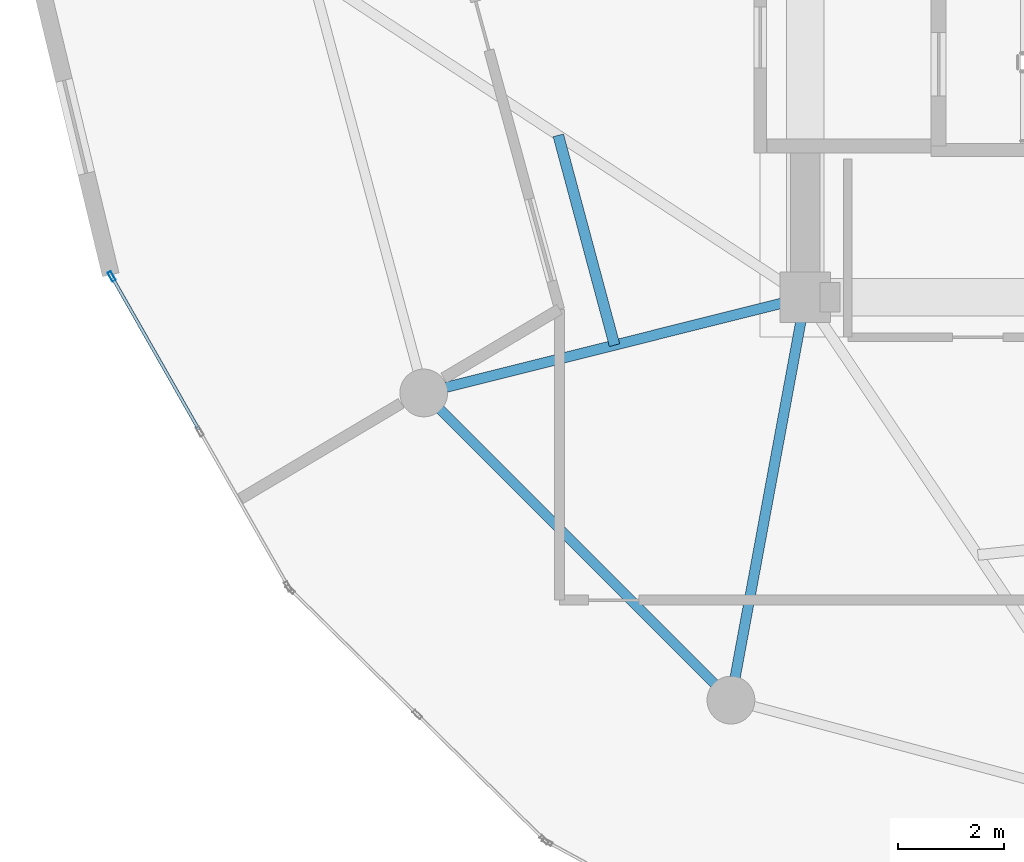
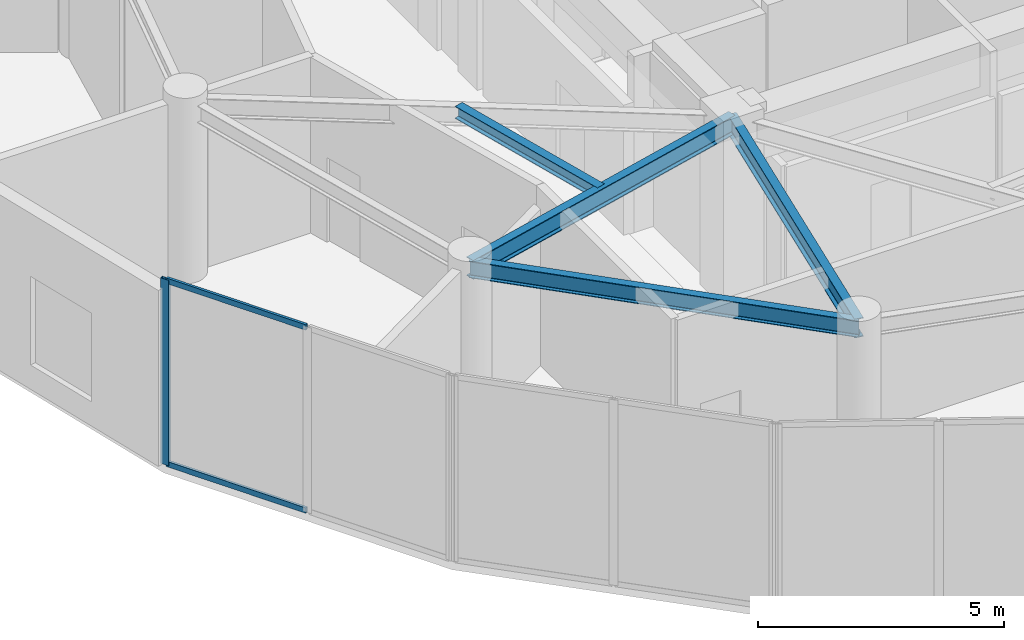
# One storey, part 3 of 23: 4 beams, 3 members, 1 element without a shape of its own.
"""IFC4 building model written with IfcOpenShell, lengths in metres."""

from ifc_helpers import new_model, si_unit, direction, frame, origin, origin_2d, place, context, subcontext, project, spatial, hollow_rectangle, i_section, extrude, source, transform, mapped, material, layer, layer_set, material_profile, profile_set, type_object, element, aggregate, save


model = new_model("IFC4")

# Units and contexts
model_context = context("Model", 3, precision=1e-05, world=origin(), true_north=direction((0.0, 1.0)))
body_context = subcontext(model_context, "Body", "Model", "MODEL_VIEW")
ifc_project = project(units=[si_unit("LENGTHUNIT", "METRE"), si_unit("AREAUNIT", "SQUARE_METRE"), si_unit("VOLUMEUNIT", "CUBIC_METRE"), si_unit("PLANEANGLEUNIT", "RADIAN"), si_unit("MASSUNIT", "GRAM", prefix="KILO")], contexts=[model_context])

# Site, building, storey
site_placement = place(None, origin())
site = spatial("IfcSite", under=ifc_project, at=site_placement, CompositionType="ELEMENT")
building_placement = place(site_placement, origin())
building = spatial("IfcBuilding", under=site, at=building_placement, Name="Solvirekh Grand Hotel", CompositionType="ELEMENT")
storey_placement = place(building_placement, frame((0.0, 0.0, 168.60009765625)))
storey = spatial("IfcBuildingStorey", under=building, at=storey_placement, Name="L43", CompositionType="ELEMENT", Elevation=168.60009765625)

# Beams
ifc_material_1 = material(Name="Steel S355", Category="steel")
ifc_material_profile_1 = material_profile(ifc_material_1, i_section(OverallWidth=0.194091796875, OverallDepth=0.468994140625, WebThickness=0.010986328125, FlangeThickness=0.01904296875, FilletRadius=0.012939453125, at=origin_2d()), Name="W460X106")
ifc_profile_set_1 = profile_set([ifc_material_profile_1], Name="Steel S355")
beam_type_1 = type_object("IfcBeamType", Name="Beam_Radial_W460H", PredefinedType="BEAM", material=ifc_profile_set_1)
beam_1_placement = place(storey_placement, frame((-6.5, -6.10009765625, 4.1259765625), z_axis=(-0.970014367692, -0.243047580675, 0.0), x_axis=(0.243047580675, -0.970014367692, 0.0)))
element("IfcBeam", 1, at=beam_1_placement, inside=storey, type_object=beam_type_1, Name="L43 radial floor beam R08", PredefinedType="BEAM", context=body_context, shape_type="SweptSolid", body=[
    extrude(i_section(OverallWidth=0.194091796875, OverallDepth=0.468994140625, WebThickness=0.010986328125, FlangeThickness=0.01904296875, FilletRadius=0.012939453125, at=origin_2d()), origin(), (0.0, 0.0, 1.0), 7.4052734375),
])
beam_2_placement = place(storey_placement, frame((-6.5, -6.10009765625, 4.1259765625), z_axis=(-0.181542769111, -0.983383049978, 0.0), x_axis=(0.983383049978, -0.181542769111, 0.0)))
element("IfcBeam", 2, at=beam_2_placement, inside=storey, type_object=beam_type_1, Name="L43 radial floor beam R09", PredefinedType="BEAM", context=body_context, shape_type="SweptSolid", body=[
    extrude(i_section(OverallWidth=0.194091796875, OverallDepth=0.468994140625, WebThickness=0.010986328125, FlangeThickness=0.01904296875, FilletRadius=0.012939453125, at=origin_2d()), origin(), (0.0, 0.0, 1.0), 7.711181640625),
])
ifc_material_profile_2 = material_profile(ifc_material_1, i_section(OverallWidth=0.202880859375, OverallDepth=0.302978515625, WebThickness=0.008056640625, FlangeThickness=0.012939453125, FilletRadius=0.010009765625, at=origin_2d()), Name="W310X60")
ifc_profile_set_2 = profile_set([ifc_material_profile_2], Name="Steel S355")
beam_type_2 = type_object("IfcBeamType", Name="Joist_Floor_W310", PredefinedType="JOIST", material=ifc_profile_set_2)
beam_3_placement = place(storey_placement, frame((-11.14990234375, -3.050048828125, 4.208984375), z_axis=(0.25892209236, -0.965898208968, 0.0), x_axis=(0.965898208968, 0.25892209236, 0.0)))
element("IfcBeam", 3, at=beam_3_placement, inside=storey, type_object=beam_type_2, Name="L43 secondary composite floor joist 7", PredefinedType="JOIST", context=body_context, shape_type="SweptSolid", body=[
    extrude(i_section(OverallWidth=0.202880859375, OverallDepth=0.302978515625, WebThickness=0.008056640625, FlangeThickness=0.012939453125, FilletRadius=0.010009765625, at=origin_2d()), origin(), (0.0, 0.0, 1.0), 4.08935546875),
])
ifc_material_profile_3 = material_profile(ifc_material_1, i_section(OverallWidth=0.180908203125, OverallDepth=0.4169921875, WebThickness=0.010009765625, FlangeThickness=0.01611328125, FilletRadius=0.011962890625, at=origin_2d()), Name="W410X85")
ifc_profile_set_3 = profile_set([ifc_material_profile_3], Name="Steel S355")
beam_type_3 = type_object("IfcBeamType", Name="Spandrel_Ring_W410", PredefinedType="SPANDREL", material=ifc_profile_set_3)
beam_4_placement = place(storey_placement, frame((-13.68310546875, -7.89990234375, 4.15185546875), z_axis=(0.707106781187, -0.707106781187, 0.0), x_axis=(0.707106781187, 0.707106781187, 0.0)))
element("IfcBeam", 4, at=beam_4_placement, inside=storey, type_object=beam_type_3, Name="L43 perimeter spandrel beam 8", PredefinedType="SPANDREL", context=body_context, shape_type="SweptSolid", body=[
    extrude(i_section(OverallWidth=0.180908203125, OverallDepth=0.4169921875, WebThickness=0.010009765625, FlangeThickness=0.01611328125, FilletRadius=0.011962890625, at=origin_2d()), origin(), (0.0, 0.0, 1.0), 8.1787109375),
])

# Curtain wall, members
ifc_material_2 = material(Name="Anodized Bronze Aluminium 6063-T6", Category="aluminium")
ifc_layer = layer(ifc_material_2, 0.18994140625)
ifc_layer_set = layer_set([ifc_layer], Name="Anodized Bronze Aluminium 6063-T6")
curtain_wall_type = type_object("IfcCurtainWallType", Name="CW_Sys5_SkyLobbyPanoramaCW", PredefinedType="NOTDEFINED", material=ifc_layer_set)
curtain_wall_placement = place(storey_placement, origin())
curtain_wall = element("IfcCurtainWall", 5, at=curtain_wall_placement, inside=storey, type_object=curtain_wall_type, Name="L43 unitised bronze-glass curtain wall CW-L43-C15", PredefinedType="NOTDEFINED")
ifc_material_profile_4 = material_profile(ifc_material_2, hollow_rectangle(XDim=0.070068359375, YDim=0.18994140625, WallThickness=0.0048828125, at=origin_2d()), Name="ALU RHS 190X70X5")
ifc_profile_set_4 = profile_set([ifc_material_profile_4], Name="Anodized Bronze Aluminium 6063-T6")
member_type_1 = type_object("IfcMemberType", Name="CWMullion_Sys5", PredefinedType="MULLION", material=ifc_profile_set_4)
shared_shape_1 = source(origin(), body_context, "Body", "SweptSolid", [
    extrude(hollow_rectangle(XDim=0.070068359375, YDim=0.18994140625, WallThickness=0.0048828125, at=origin_2d()), origin(), (0.0, 0.0, 1.0), 4.599853515625),
])
member_1_placement = place(storey_placement, frame((-19.55859375, -5.705322265625, 0.0), z_axis=(0.0, 0.0, 1.0), x_axis=(0.869112493472, 0.494614469755, 0.0)))
member_1 = element("IfcMember", 6, at=member_1_placement, type_object=member_type_1, Name="U05 mullion 1", PredefinedType="MULLION", context=body_context, shape_type="MappedRepresentation", body=[
    mapped(shared_shape_1, transform((0.0, 0.0, 0.0), x_axis=(1.0, 0.0, 0.0), y_axis=(0.0, 1.0, 0.0), z_axis=(0.0, 0.0, 1.0), scale=1.0)),
])
ifc_material_profile_5 = material_profile(ifc_material_2, hollow_rectangle(XDim=0.06005859375, YDim=0.135009765625, WallThickness=0.00390625, at=origin_2d()), Name="ALU RHS 135X60X4")
ifc_profile_set_5 = profile_set([ifc_material_profile_5], Name="Anodized Bronze Aluminium 6063-T6")
member_type_2 = type_object("IfcMemberType", Name="CWTransom_Sys5", PredefinedType="USERDEFINED", material=ifc_profile_set_5)
shared_shape_2 = source(origin(), body_context, "Body", "SweptSolid", [
    extrude(hollow_rectangle(XDim=0.06005859375, YDim=0.135009765625, WallThickness=0.00390625, at=origin_2d()), origin(), (0.0, 0.0, 1.0), 3.287353515625),
])
member_2_placement = place(storey_placement, frame((-19.541259765625, -5.73583984375, 0.02978515625), z_axis=(0.494602597874, -0.869119249687, 0.0), x_axis=(0.869119249687, 0.494602597874, 0.0)))
member_2 = element("IfcMember", 7, at=member_2_placement, type_object=member_type_2, Name="U05 transom 1.1", ObjectType="TRANSOM", PredefinedType="USERDEFINED", context=body_context, shape_type="MappedRepresentation", body=[
    mapped(shared_shape_2, transform((0.0, 0.0, 0.0), x_axis=(1.0, 0.0, 0.0), y_axis=(0.0, 1.0, 0.0), z_axis=(0.0, 0.0, 1.0), scale=1.0)),
])
member_3_placement = place(storey_placement, frame((-19.541259765625, -5.73583984375, 4.56982421875), z_axis=(0.494602597874, -0.869119249687, 0.0), x_axis=(0.869119249687, 0.494602597874, 0.0)))
member_3 = element("IfcMember", 8, at=member_3_placement, type_object=member_type_2, Name="U05 transom 1.2", ObjectType="TRANSOM", PredefinedType="USERDEFINED", context=body_context, shape_type="MappedRepresentation", body=[
    mapped(shared_shape_2, transform((0.0, 0.0, 0.0), x_axis=(1.0, 0.0, 0.0), y_axis=(0.0, 1.0, 0.0), z_axis=(0.0, 0.0, 1.0), scale=1.0)),
])
aggregate(curtain_wall, [member_1, member_2, member_3])

save(model, "model.ifc")
